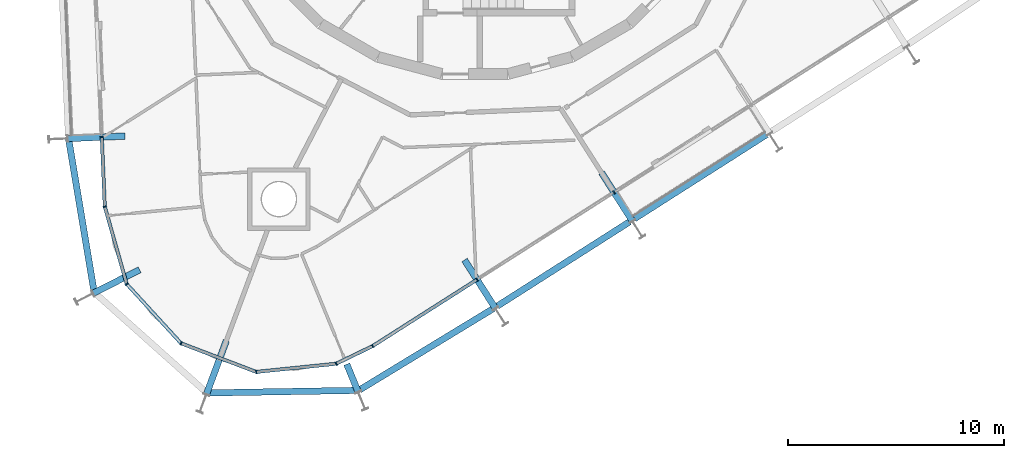
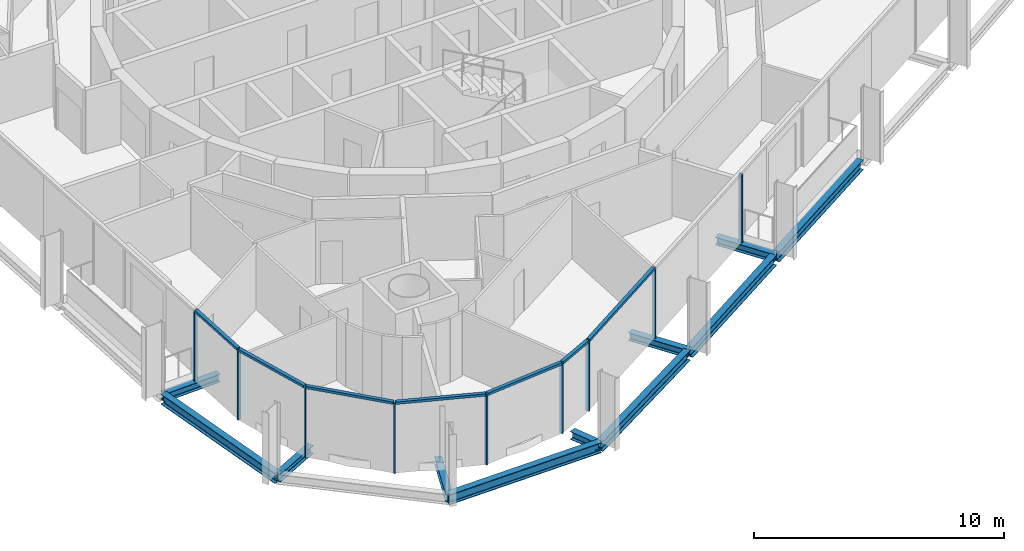
# One storey, part 2 of 18: 16 members, 11 beams, 2 elements without a shape of their own.
"""IFC4 building model written with IfcOpenShell, lengths in metres."""

from ifc_helpers import new_model, si_unit, direction, frame, origin, origin_2d, place, context, subcontext, project, spatial, rectangle, i_section, extrude, material, layer, layer_set, material_profile, profile_set, type_object, element, aggregate, save


model = new_model("IFC4")

# Units and contexts
model_context = context("Model", 3, precision=1e-05, world=origin(), true_north=direction((0.0, 1.0)))
body_context = subcontext(model_context, "Body", "Model", "MODEL_VIEW")
ifc_project = project(units=[si_unit("LENGTHUNIT", "METRE"), si_unit("AREAUNIT", "SQUARE_METRE"), si_unit("VOLUMEUNIT", "CUBIC_METRE"), si_unit("PLANEANGLEUNIT", "RADIAN"), si_unit("MASSUNIT", "GRAM", prefix="KILO")], contexts=[model_context])

# Site, building, storey
site_placement = place(None, origin())
site = spatial("IfcSite", under=ifc_project, at=site_placement, CompositionType="ELEMENT")
building_placement = place(site_placement, origin())
building = spatial("IfcBuilding", under=site, at=building_placement, Name="Spindle Arch Residences", CompositionType="ELEMENT")
storey_placement = place(building_placement, frame((0.0, 0.0, 230.199951171875)))
storey = spatial("IfcBuildingStorey", under=building, at=storey_placement, Name="L58", CompositionType="ELEMENT", Elevation=230.199951171875)

# Curtain wall, members
ifc_material_1 = material(Name="Aluminium bronze unitised frame with tinted glass", Category="aluminium")
ifc_layer_1 = layer(ifc_material_1, 0.159912109375)
ifc_layer_set_1 = layer_set([ifc_layer_1], Name="CW-D corner wall on the fillet arcs")
curtain_wall_type_1 = type_object("IfcCurtainWallType", Name="CW-D corner wall on the fillet arcs", PredefinedType="NOTDEFINED", material=ifc_layer_set_1)
curtain_wall_1_placement = place(storey_placement, origin())
curtain_wall_1 = element("IfcCurtainWall", 1, at=curtain_wall_1_placement, inside=storey, type_object=curtain_wall_type_1, Name="CW-D L58 run 5", PredefinedType="NOTDEFINED")
ifc_material_2 = material(Name="Aluminium bronze anodised mullion", Category="aluminium")
ifc_material_profile_1 = material_profile(ifc_material_2, rectangle(XDim=0.159912109375, YDim=0.06005859375, at=origin_2d()), Name="MU 60x160")
ifc_profile_set_1 = profile_set([ifc_material_profile_1], Name="Aluminium bronze anodised mullion")
member_type_1 = type_object("IfcMemberType", Name="Bronze mullion 60x160", PredefinedType="MULLION", material=ifc_profile_set_1)
member_1_placement = place(storey_placement, frame((-17.295166015625, -14.573486328125, -0.3798828125), z_axis=(0.0, 0.0, 1.0), x_axis=(0.999048221582, 0.043619387365, 0.0)))
member_1 = element("IfcMember", 2, at=member_1_placement, type_object=member_type_1, Name="CW-D mullion 00", PredefinedType="MULLION", context=body_context, shape_type="SweptSolid", body=[
    extrude(rectangle(XDim=0.159912109375, YDim=0.06005859375, at=origin_2d()), origin(), (0.0, 0.0, 1.0), 3.3798828125),
])
member_2_placement = place(storey_placement, frame((-17.154296875, -17.798828125, -0.3798828125), z_axis=(0.0, 0.0, 1.0), x_axis=(0.962059424213, 0.272839997585, 0.0)))
member_2 = element("IfcMember", 3, at=member_2_placement, type_object=member_type_1, Name="CW-D mullion 01", PredefinedType="MULLION", context=body_context, shape_type="SweptSolid", body=[
    extrude(rectangle(XDim=0.159912109375, YDim=0.06005859375, at=origin_2d()), origin(), (0.0, 0.0, 1.0), 3.3798828125),
])
member_3_placement = place(storey_placement, frame((-16.137451171875, -21.384033203125, -0.3798828125), z_axis=(0.0, 0.0, 1.0), x_axis=(0.737277336881, 0.675590207538, 0.0)))
member_3 = element("IfcMember", 4, at=member_3_placement, type_object=member_type_1, Name="CW-D mullion 02", PredefinedType="MULLION", context=body_context, shape_type="SweptSolid", body=[
    extrude(rectangle(XDim=0.159912109375, YDim=0.06005859375, at=origin_2d()), origin(), (0.0, 0.0, 1.0), 3.3798828125),
])
member_4_placement = place(storey_placement, frame((-13.61962890625, -24.1318359375, -0.3798828125), z_axis=(0.0, 0.0, 1.0), x_axis=(0.355650760994, 0.934618925661, 0.0)))
member_4 = element("IfcMember", 5, at=member_4_placement, type_object=member_type_1, Name="CW-D mullion 03", PredefinedType="MULLION", context=body_context, shape_type="SweptSolid", body=[
    extrude(rectangle(XDim=0.159912109375, YDim=0.06005859375, at=origin_2d()), origin(), (0.0, 0.0, 1.0), 3.3798828125),
])
member_5_placement = place(storey_placement, frame((-10.13671875, -25.457275390625, -0.3798828125), z_axis=(0.0, 0.0, 1.0), x_axis=(-0.10163508092, 0.994821748016, 0.0)))
member_5 = element("IfcMember", 6, at=member_5_placement, type_object=member_type_1, Name="CW-D mullion 04", PredefinedType="MULLION", context=body_context, shape_type="SweptSolid", body=[
    extrude(rectangle(XDim=0.159912109375, YDim=0.06005859375, at=origin_2d()), origin(), (0.0, 0.0, 1.0), 3.3798828125),
])
member_6_placement = place(storey_placement, frame((-6.42919921875, -25.078369140625, -0.3798828125), z_axis=(0.0, 0.0, 1.0), x_axis=(-0.435754813823, 0.900065409973, 0.0)))
member_6 = element("IfcMember", 7, at=member_6_placement, type_object=member_type_1, Name="CW-D mullion 05", PredefinedType="MULLION", context=body_context, shape_type="SweptSolid", body=[
    extrude(rectangle(XDim=0.159912109375, YDim=0.06005859375, at=origin_2d()), origin(), (0.0, 0.0, 1.0), 3.3798828125),
])
member_7_placement = place(storey_placement, frame((-4.74072265625, -24.260986328125, -0.3798828125), z_axis=(0.0, 0.0, 1.0), x_axis=(-0.537299608347, 0.843391445813, 0.0)))
member_7 = element("IfcMember", 8, at=member_7_placement, type_object=member_type_1, Name="CW-D mullion 06", PredefinedType="MULLION", context=body_context, shape_type="SweptSolid", body=[
    extrude(rectangle(XDim=0.159912109375, YDim=0.06005859375, at=origin_2d()), origin(), (0.0, 0.0, 1.0), 3.3798828125),
])

ifc_material_3 = material(Name="Aluminium bronze unitised frame with tinted glass", Category="aluminium")
ifc_layer_2 = layer(ifc_material_3, 0.159912109375)
ifc_layer_set_2 = layer_set([ifc_layer_2], Name="CW-C typical residential unitised wall")
curtain_wall_type_2 = type_object("IfcCurtainWallType", Name="CW-C typical residential unitised wall", PredefinedType="NOTDEFINED", material=ifc_layer_set_2)
curtain_wall_2_placement = place(storey_placement, origin())
curtain_wall_2 = element("IfcCurtainWall", 9, at=curtain_wall_2_placement, inside=storey, type_object=curtain_wall_type_2, Name="CW-C L58 run 6", PredefinedType="NOTDEFINED")
member_8_placement = place(storey_placement, frame((0.09912109375, -21.177734375, -0.3798828125), z_axis=(0.0, 0.0, 1.0), x_axis=(-0.537299608347, 0.843391445813, 0.0)))
member_8 = element("IfcMember", 10, at=member_8_placement, type_object=member_type_1, Name="CW-C mullion 20", PredefinedType="MULLION", context=body_context, shape_type="SweptSolid", body=[
    extrude(rectangle(XDim=0.159912109375, YDim=0.06005859375, at=origin_2d()), origin(), (0.0, 0.0, 1.0), 3.3798828125),
])
member_9_placement = place(storey_placement, frame((6.449951171875, -17.1318359375, -0.3798828125), z_axis=(0.0, 0.0, 1.0), x_axis=(-0.537299608347, 0.843391445813, 0.0)))
member_9 = element("IfcMember", 11, at=member_9_placement, type_object=member_type_1, Name="CW-C mullion 21", PredefinedType="MULLION", context=body_context, shape_type="SweptSolid", body=[
    extrude(rectangle(XDim=0.159912109375, YDim=0.06005859375, at=origin_2d()), origin(), (0.0, 0.0, 1.0), 3.3798828125),
])
aggregate(curtain_wall_2, [member_8, member_9])

# Member
ifc_material_4 = material(Name="Aluminium bronze anodised transom", Category="aluminium")
ifc_material_profile_2 = material_profile(ifc_material_4, rectangle(XDim=0.159912109375, YDim=0.1201171875, at=origin_2d()), Name="TR 120x160")
ifc_profile_set_2 = profile_set([ifc_material_profile_2], Name="Aluminium bronze anodised transom")
member_type_2 = type_object("IfcMemberType", Name="Bronze transom 120x160", PredefinedType="USERDEFINED", material=ifc_profile_set_2)
member_10_placement = place(storey_placement, frame((-17.293701171875, -14.603271484375, 3.06005859375), z_axis=(0.043611098121, -0.999048583464, 0.0), x_axis=(0.999048583464, 0.043611098121, 0.0)))
member_10 = element("IfcMember", 12, at=member_10_placement, type_object=member_type_2, Name="CW-D transom 00", ObjectType="TRANSOM", PredefinedType="USERDEFINED", context=body_context, shape_type="SweptSolid", body=[
    extrude(rectangle(XDim=0.159912109375, YDim=0.1201171875, at=origin_2d()), origin(), (0.0, 0.0, 1.0), 3.16845703125),
])

member_11_placement = place(storey_placement, frame((-17.146240234375, -17.82763671875, 3.06005859375), z_axis=(0.272856293247, -0.962054802616, 0.0), x_axis=(0.962054802616, 0.272856293247, 0.0)))
member_11 = element("IfcMember", 13, at=member_11_placement, type_object=member_type_2, Name="CW-D transom 01", ObjectType="TRANSOM", PredefinedType="USERDEFINED", context=body_context, shape_type="SweptSolid", body=[
    extrude(rectangle(XDim=0.159912109375, YDim=0.1201171875, at=origin_2d()), origin(), (0.0, 0.0, 1.0), 3.666748046875),
])

member_12_placement = place(storey_placement, frame((-16.1171875, -21.40625, 3.06005859375), z_axis=(0.675607033687, -0.737261918204, 0.0), x_axis=(0.737261918204, 0.675607033687, 0.0)))
member_12 = element("IfcMember", 14, at=member_12_placement, type_object=member_type_2, Name="CW-D transom 02", ObjectType="TRANSOM", PredefinedType="USERDEFINED", context=body_context, shape_type="SweptSolid", body=[
    extrude(rectangle(XDim=0.159912109375, YDim=0.1201171875, at=origin_2d()), origin(), (0.0, 0.0, 1.0), 3.666748046875),
])

member_13_placement = place(storey_placement, frame((-13.591796875, -24.142578125, 3.06005859375), z_axis=(0.934630056182, -0.355621509587, 0.0), x_axis=(0.355621509587, 0.934630056182, 0.0)))
member_13 = element("IfcMember", 15, at=member_13_placement, type_object=member_type_2, Name="CW-D transom 03", ObjectType="TRANSOM", PredefinedType="USERDEFINED", context=body_context, shape_type="SweptSolid", body=[
    extrude(rectangle(XDim=0.159912109375, YDim=0.1201171875, at=origin_2d()), origin(), (0.0, 0.0, 1.0), 3.666748046875),
])

member_14_placement = place(storey_placement, frame((-10.106689453125, -25.4541015625, 3.06005859375), z_axis=(0.994824669398, 0.101606481862, 0.0), x_axis=(-0.101606481862, 0.994824669398, 0.0)))
member_14 = element("IfcMember", 16, at=member_14_placement, type_object=member_type_2, Name="CW-D transom 04", ObjectType="TRANSOM", PredefinedType="USERDEFINED", context=body_context, shape_type="SweptSolid", body=[
    extrude(rectangle(XDim=0.159912109375, YDim=0.1201171875, at=origin_2d()), origin(), (0.0, 0.0, 1.0), 3.666748046875),
])

member_15_placement = place(storey_placement, frame((-6.402099609375, -25.0654296875, 3.06005859375), z_axis=(0.900028291694, 0.435831474484, 0.0), x_axis=(-0.435831474484, 0.900028291694, 0.0)))
member_15 = element("IfcMember", 17, at=member_15_placement, type_object=member_type_2, Name="CW-D transom 05", ObjectType="TRANSOM", PredefinedType="USERDEFINED", context=body_context, shape_type="SweptSolid", body=[
    extrude(rectangle(XDim=0.159912109375, YDim=0.1201171875, at=origin_2d()), origin(), (0.0, 0.0, 1.0), 1.816162109375),
])

member_16_placement = place(storey_placement, frame((-4.71533203125, -24.244873046875, 3.06005859375), z_axis=(0.843399381096, 0.537287152244, 0.0), x_axis=(-0.537287152244, 0.843399381096, 0.0)))
member_16 = element("IfcMember", 18, at=member_16_placement, type_object=member_type_2, Name="CW-D transom 06", ObjectType="TRANSOM", PredefinedType="USERDEFINED", context=body_context, shape_type="SweptSolid", body=[
    extrude(rectangle(XDim=0.159912109375, YDim=0.1201171875, at=origin_2d()), origin(), (0.0, 0.0, 1.0), 5.678466796875),
])

aggregate(curtain_wall_1, [member_1, member_10, member_2, member_11, member_3, member_12, member_4, member_13, member_5, member_14, member_6, member_15, member_7, member_16])

# Beams
ifc_material_5 = material(Name="Steel S460ML, intumescent coating R 120", Category="steel")
ifc_material_profile_3 = material_profile(ifc_material_5, i_section(OverallWidth=0.300048828125, OverallDepth=0.5, WebThickness=0.014404296875, FlangeThickness=0.028076171875, FilletRadius=0.027099609375, at=origin_2d()), Name="HEB 500")
ifc_profile_set_3 = profile_set([ifc_material_profile_3], Name="Steel S460ML, intumescent coating R 120")
beam_type_1 = type_object("IfcBeamType", Name="Exoskeleton edge beam HEB 500", PredefinedType="BEAM", material=ifc_profile_set_3)
beam_1_placement = place(storey_placement, frame((-18.82763671875, -14.66796875, -0.6298828125), z_axis=(0.164206425822, -0.986425998095, 0.0), x_axis=(0.986425998095, 0.164206425822, 0.0)))
element("IfcBeam", 19, at=beam_1_placement, inside=storey, type_object=beam_type_1, Name="Exoskeleton edge beam 17", PredefinedType="BEAM", context=body_context, shape_type="SweptSolid", body=[
    extrude(i_section(OverallWidth=0.300048828125, OverallDepth=0.5, WebThickness=0.014404296875, FlangeThickness=0.028076171875, FilletRadius=0.027099609375, at=origin_2d()), origin(), (0.0, 0.0, 1.0), 7.196044921875),
])
beam_2_placement = place(storey_placement, frame((-12.4775390625, -26.431884765625, -0.6298828125), z_axis=(0.999854421293, 0.017062714363, 0.0), x_axis=(-0.017062714363, 0.999854421293, 0.0)))
element("IfcBeam", 20, at=beam_2_placement, inside=storey, type_object=beam_type_1, Name="Exoskeleton edge beam 19", PredefinedType="BEAM", context=body_context, shape_type="SweptSolid", body=[
    extrude(i_section(OverallWidth=0.300048828125, OverallDepth=0.5, WebThickness=0.014404296875, FlangeThickness=0.028076171875, FilletRadius=0.027099609375, at=origin_2d()), origin(), (0.0, 0.0, 1.0), 7.096923828125),
])
beam_3_placement = place(storey_placement, frame((-5.353515625, -26.294921875, -0.6298828125), z_axis=(0.854518430604, 0.519421073656, 0.0), x_axis=(-0.519421073656, 0.854518430604, 0.0)))
element("IfcBeam", 21, at=beam_3_placement, inside=storey, type_object=beam_type_1, Name="Exoskeleton edge beam 20", PredefinedType="BEAM", context=body_context, shape_type="SweptSolid", body=[
    extrude(i_section(OverallWidth=0.300048828125, OverallDepth=0.5, WebThickness=0.014404296875, FlangeThickness=0.028076171875, FilletRadius=0.027099609375, at=origin_2d()), origin(), (0.0, 0.0, 1.0), 7.262451171875),
])
for number, where, z_axis, x_axis, name in (
    (22, (1.0361328125, -22.406494140625, -0.6298828125), (0.843406961456, 0.53727525289, 0.0), (-0.53727525289, 0.843406961456, 0.0), "Exoskeleton edge beam 21"),
    (23, (7.386962890625, -18.360595703125, -0.6298828125), (0.843406961456, 0.53727525289, 0.0), (-0.53727525289, 0.843406961456, 0.0), "Exoskeleton edge beam 22"),
):
    element("IfcBeam", number, at=place(storey_placement, frame(where, z_axis=z_axis, x_axis=x_axis)), inside=storey, type_object=beam_type_1, Name=name, PredefinedType="BEAM", context=body_context, shape_type="SweptSolid", body=[
        extrude(i_section(OverallWidth=0.300048828125, OverallDepth=0.5, WebThickness=0.014404296875, FlangeThickness=0.028076171875, FilletRadius=0.027099609375, at=origin_2d()), origin(), (0.0, 0.0, 1.0), 7.27001953125),
    ])
ifc_material_6 = material(Name="Steel S460ML, intumescent coating R 120", Category="steel")
ifc_material_profile_4 = material_profile(ifc_material_6, i_section(OverallWidth=0.300048828125, OverallDepth=0.389892578125, WebThickness=0.010986328125, FlangeThickness=0.01904296875, FilletRadius=0.027099609375, at=origin_2d()), Name="HEA 400")
ifc_profile_set_4 = profile_set([ifc_material_profile_4], Name="Steel S460ML, intumescent coating R 120")
beam_type_2 = type_object("IfcBeamType", Name="Floor outrigger HEA 400", PredefinedType="BEAM", material=ifc_profile_set_4)
beam_4_placement = place(storey_placement, frame((-18.863525390625, -14.641845703125, -0.574951171875), z_axis=(0.999049889571, 0.043581167368, 0.0), x_axis=(-0.043581167368, 0.999049889571, 0.0)))
element("IfcBeam", 24, at=beam_4_placement, inside=storey, type_object=beam_type_2, Name="Floor outrigger 17", PredefinedType="BEAM", context=body_context, shape_type="SweptSolid", body=[
    extrude(i_section(OverallWidth=0.300048828125, OverallDepth=0.389892578125, WebThickness=0.010986328125, FlangeThickness=0.01904296875, FilletRadius=0.027099609375, at=origin_2d()), origin(), (0.0, 0.0, 1.0), 2.649658203125),
])
beam_5_placement = place(storey_placement, frame((-17.687744140625, -21.812744140625, -0.574951171875), z_axis=(0.891781094186, 0.452467103835, 0.0), x_axis=(-0.452467103835, 0.891781094186, 0.0)))
element("IfcBeam", 25, at=beam_5_placement, inside=storey, type_object=beam_type_2, Name="Floor outrigger 18", PredefinedType="BEAM", context=body_context, shape_type="SweptSolid", body=[
    extrude(i_section(OverallWidth=0.300048828125, OverallDepth=0.389892578125, WebThickness=0.010986328125, FlangeThickness=0.01904296875, FilletRadius=0.027099609375, at=origin_2d()), origin(), (0.0, 0.0, 1.0), 2.4130859375),
])
beam_6_placement = place(storey_placement, frame((-12.442626953125, -26.4921875, -0.574951171875), z_axis=(0.348274434102, 0.937392617077, 0.0), x_axis=(-0.937392617077, 0.348274434102, 0.0)))
element("IfcBeam", 26, at=beam_6_placement, inside=storey, type_object=beam_type_2, Name="Floor outrigger 19", PredefinedType="BEAM", context=body_context, shape_type="SweptSolid", body=[
    extrude(i_section(OverallWidth=0.300048828125, OverallDepth=0.389892578125, WebThickness=0.010986328125, FlangeThickness=0.01904296875, FilletRadius=0.027099609375, at=origin_2d()), origin(), (0.0, 0.0, 1.0), 2.64990234375),
])
beam_7_placement = place(storey_placement, frame((-5.41455078125, -26.372314453125, -0.574951171875), z_axis=(-0.380108293875, 0.924941990034, 0.0), x_axis=(-0.924941990034, -0.380108293875, 0.0)))
element("IfcBeam", 27, at=beam_7_placement, inside=storey, type_object=beam_type_2, Name="Floor outrigger 20", PredefinedType="BEAM", context=body_context, shape_type="SweptSolid", body=[
    extrude(i_section(OverallWidth=0.300048828125, OverallDepth=0.389892578125, WebThickness=0.010986328125, FlangeThickness=0.01904296875, FilletRadius=0.027099609375, at=origin_2d()), origin(), (0.0, 0.0, 1.0), 1.37841796875),
])
for number, where, z_axis, x_axis, name in (
    (28, (0.942626953125, -22.501708984375, -0.574951171875), (-0.537316570745, 0.843380639334, 0.0), (-0.843380639334, -0.537316570745, 0.0), "Floor outrigger 21"),
    (29, (7.29345703125, -18.455810546875, -0.574951171875), (-0.537316570745, 0.843380639334, 0.0), (-0.843380639334, -0.537316570745, 0.0), "Floor outrigger 22"),
):
    element("IfcBeam", number, at=place(storey_placement, frame(where, z_axis=z_axis, x_axis=x_axis)), inside=storey, type_object=beam_type_2, Name=name, PredefinedType="BEAM", context=body_context, shape_type="SweptSolid", body=[
        extrude(i_section(OverallWidth=0.300048828125, OverallDepth=0.389892578125, WebThickness=0.010986328125, FlangeThickness=0.01904296875, FilletRadius=0.027099609375, at=origin_2d()), origin(), (0.0, 0.0, 1.0), 2.64990234375),
    ])

save(model, "model.ifc")
